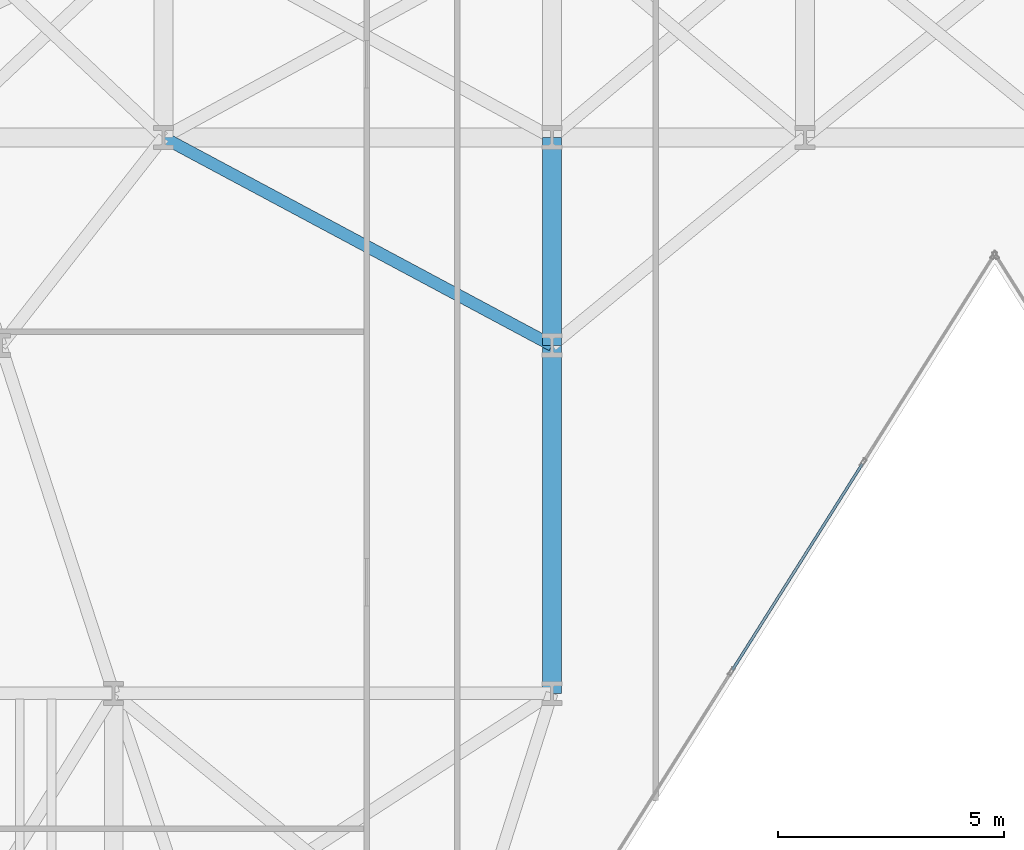
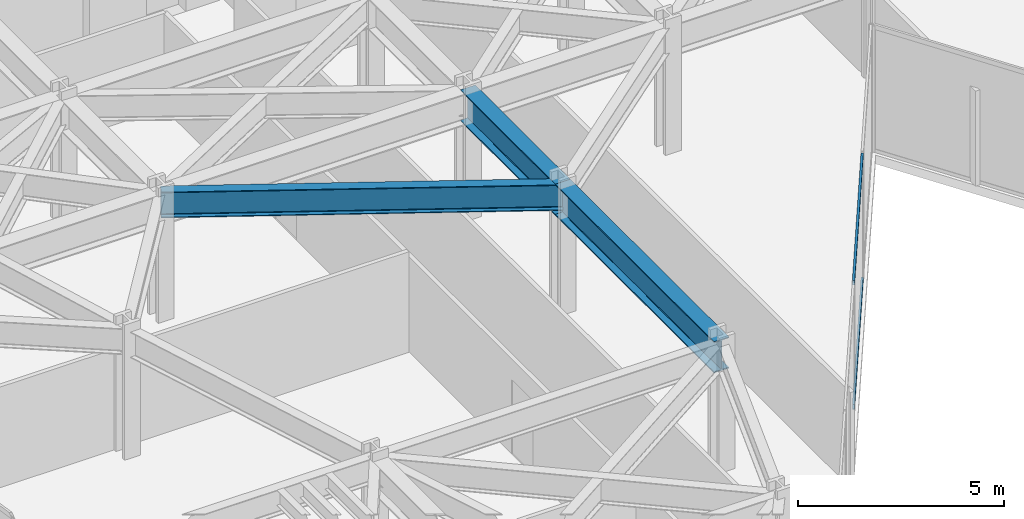
# One storey, part 9 of 25: 3 beams, 2 members, 1 element without a shape of its own.
"""IFC4 building model written with IfcOpenShell, lengths in metres."""

from ifc_helpers import new_model, si_unit, direction, frame, origin, origin_2d, place, context, subcontext, project, spatial, hollow_rectangle, i_section, extrude, material, layer, layer_set, material_profile, profile_set, type_object, element, aggregate, save


model = new_model("IFC4")

# Units and contexts
model_context = context("Model", 3, precision=1e-05, world=origin(), true_north=direction((0.0, 1.0)))
body_context = subcontext(model_context, "Body", "Model", "MODEL_VIEW")
ifc_project = project(units=[si_unit("LENGTHUNIT", "METRE"), si_unit("AREAUNIT", "SQUARE_METRE"), si_unit("VOLUMEUNIT", "CUBIC_METRE"), si_unit("PLANEANGLEUNIT", "RADIAN"), si_unit("MASSUNIT", "GRAM", prefix="KILO")], contexts=[model_context])

# Site, building, storey
site_placement = place(None, origin())
site = spatial("IfcSite", under=ifc_project, at=site_placement, CompositionType="ELEMENT")
building_placement = place(site_placement, origin())
building = spatial("IfcBuilding", under=site, at=building_placement, Name="Kravanh Interchange Tower", CompositionType="ELEMENT")
storey_placement = place(building_placement, frame((0.0, 0.0, 49.5)))
storey = spatial("IfcBuildingStorey", under=building, at=storey_placement, Name="L11", CompositionType="ELEMENT", Elevation=49.5)

# Curtain wall, members
ifc_material_1 = material(Name="Anodised Bronze Aluminium", Category="aluminium")
ifc_layer = layer(ifc_material_1, 0.179931640625)
ifc_layer_set = layer_set([ifc_layer], Name="Unitised Curtain Wall System CW-Z1 Lower Office")
curtain_wall_type = type_object("IfcCurtainWallType", Name="Unitised Curtain Wall System CW-Z1 Lower Office", PredefinedType="NOTDEFINED", material=ifc_layer_set)
curtain_wall_placement = place(storey_placement, origin())
curtain_wall = element("IfcCurtainWall", 1, at=curtain_wall_placement, inside=storey, type_object=curtain_wall_type, Name="L11 Unitised Curtain Wall CW-L11-05", PredefinedType="NOTDEFINED")
ifc_material_2 = material(Name="Anodised Bronze Aluminium", Category="aluminium")
ifc_material_profile_1 = material_profile(ifc_material_2, hollow_rectangle(XDim=0.06005859375, YDim=0.139892578125, WallThickness=0.00390625, at=origin_2d()), Name="ALU60X140X4")
ifc_profile_set_1 = profile_set([ifc_material_profile_1], Name="Anodised Bronze Aluminium")
member_type = type_object("IfcMemberType", Name="Curtain Wall Transom ALU60X140X4 Bronze", PredefinedType="USERDEFINED", material=ifc_profile_set_1)
member_1_placement = place(storey_placement, frame((34.068115234375, 19.574462890625, 0.030029296875), z_axis=(-0.533311487456, -0.84591894254, 0.0), x_axis=(0.84591894254, -0.533311487456, 0.0)))
member_1 = element("IfcMember", 2, at=member_1_placement, type_object=member_type, Name="CW-Z1 transom 2.1", ObjectType="TRANSOM", PredefinedType="USERDEFINED", context=body_context, shape_type="SweptSolid", body=[
    extrude(hollow_rectangle(XDim=0.06005859375, YDim=0.139892578125, WallThickness=0.00390625, at=origin_2d()), origin(), (0.0, 0.0, 1.0), 5.392578125),
])
member_2_placement = place(storey_placement, frame((34.068115234375, 19.574462890625, 3.7099609375), z_axis=(-0.533311487456, -0.84591894254, 0.0), x_axis=(0.84591894254, -0.533311487456, 0.0)))
member_2 = element("IfcMember", 3, at=member_2_placement, type_object=member_type, Name="CW-Z1 transom 2.2", ObjectType="TRANSOM", PredefinedType="USERDEFINED", context=body_context, shape_type="SweptSolid", body=[
    extrude(hollow_rectangle(XDim=0.06005859375, YDim=0.139892578125, WallThickness=0.00390625, at=origin_2d()), origin(), (0.0, 0.0, 1.0), 5.392578125),
])
aggregate(curtain_wall, [member_1, member_2])

# Beams
ifc_material_3 = material(Name="Structural Steel S355", Category="steel")
ifc_material_profile_2 = material_profile(ifc_material_3, i_section(OverallWidth=0.41796875, OverallDepth=0.927001953125, WebThickness=0.019287109375, FlangeThickness=0.031982421875, FilletRadius=0.028076171875, at=origin_2d()), Name="W36X231")
ifc_profile_set_2 = profile_set([ifc_material_profile_2], Name="Structural Steel S355")
beam_type_1 = type_object("IfcBeamType", Name="Floor Beam W36X231 Structural Steel S355", PredefinedType="BEAM", material=ifc_profile_set_2)
beam_1_placement = place(storey_placement, frame((27.199951171875, 22.199951171875, 3.276611328125), z_axis=(0.0, 1.0, 0.0), x_axis=(-1.0, 0.0, 0.0)))
element("IfcBeam", 4, at=beam_1_placement, inside=storey, type_object=beam_type_1, Name="L11 Primary Floor Girder 54", PredefinedType="BEAM", context=body_context, shape_type="SweptSolid", body=[
    extrude(i_section(OverallWidth=0.41796875, OverallDepth=0.927001953125, WebThickness=0.019287109375, FlangeThickness=0.031982421875, FilletRadius=0.028076171875, at=origin_2d()), origin(), (0.0, 0.0, 1.0), 4.60009765625),
])
beam_2_placement = place(storey_placement, frame((27.199951171875, 22.199951171875, 3.276611328125), z_axis=(0.0, -1.0, 0.0), x_axis=(1.0, 0.0, 0.0)))
element("IfcBeam", 5, at=beam_2_placement, inside=storey, type_object=beam_type_1, Name="L11 Primary Floor Girder 56", PredefinedType="BEAM", context=body_context, shape_type="SweptSolid", body=[
    extrude(i_section(OverallWidth=0.41796875, OverallDepth=0.927001953125, WebThickness=0.019287109375, FlangeThickness=0.031982421875, FilletRadius=0.028076171875, at=origin_2d()), origin(), (0.0, 0.0, 1.0), 7.699951171875),
])
ifc_material_4 = material(Name="Structural Steel S355", Category="steel")
ifc_material_profile_3 = material_profile(ifc_material_4, i_section(OverallWidth=0.26708984375, OverallDepth=0.761962890625, WebThickness=0.014404296875, FlangeThickness=0.021484375, FilletRadius=0.02490234375, at=origin_2d()), Name="W30X116")
ifc_profile_set_3 = profile_set([ifc_material_profile_3], Name="Structural Steel S355")
beam_type_2 = type_object("IfcBeamType", Name="Floor Spandrel W30X116 Structural Steel S355", PredefinedType="SPANDREL", material=ifc_profile_set_3)
beam_3_placement = place(storey_placement, frame((27.199951171875, 22.199951171875, 3.35888671875), z_axis=(-0.881777136221, 0.471666282489, 0.0), x_axis=(-0.471666282489, -0.881777136221, 0.0)))
element("IfcBeam", 6, at=beam_3_placement, inside=storey, type_object=beam_type_2, Name="L11 Perimeter Spandrel 57", PredefinedType="SPANDREL", context=body_context, shape_type="SweptSolid", body=[
    extrude(i_section(OverallWidth=0.26708984375, OverallDepth=0.761962890625, WebThickness=0.014404296875, FlangeThickness=0.021484375, FilletRadius=0.02490234375, at=origin_2d()), origin(), (0.0, 0.0, 1.0), 9.7529296875),
])

save(model, "model.ifc")
